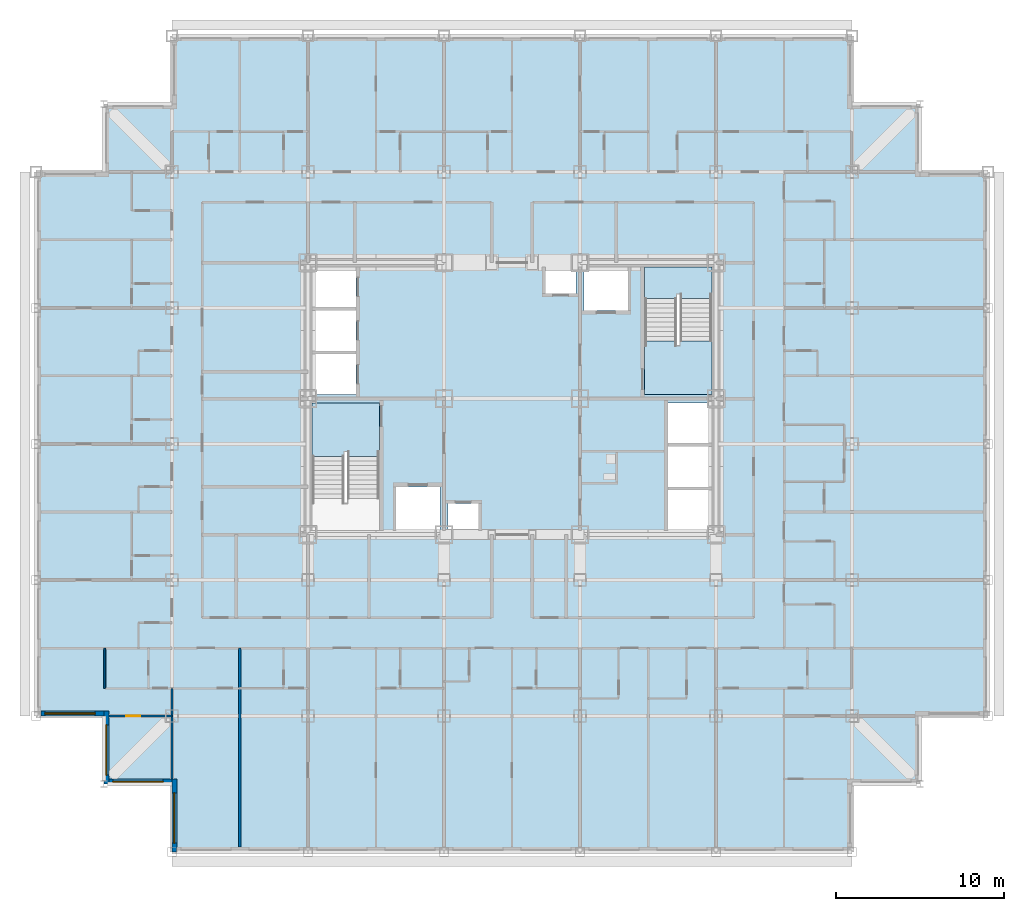
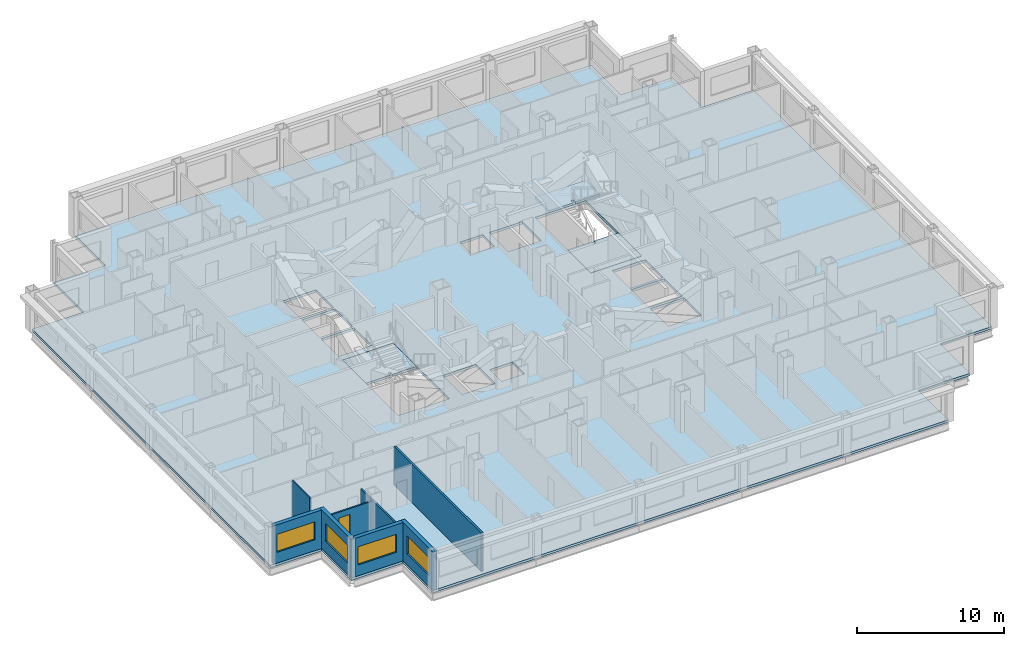
# One storey, part 3 of 14: 8 walls, 4 slabs, 4 windows, 1 door, 5 openings, 2 elements without a shape of their own.
"""IFC4 building model written with IfcOpenShell, lengths in metres."""

from ifc_helpers import new_model, si_unit, direction, frame, frame_2d, origin, place, context, subcontext, project, spatial, polyline, rectangle, outline, extrude, material, layer, layer_set, type_object, element, fill, aggregate, save


model = new_model("IFC4")

# Units and contexts
model_context = context("Model", 3, precision=1e-05, world=origin(), true_north=direction((0.0, 1.0)))
body_context = subcontext(model_context, "Body", "Model", "MODEL_VIEW")
ifc_project = project(units=[si_unit("LENGTHUNIT", "METRE"), si_unit("AREAUNIT", "SQUARE_METRE"), si_unit("VOLUMEUNIT", "CUBIC_METRE"), si_unit("PLANEANGLEUNIT", "RADIAN"), si_unit("MASSUNIT", "GRAM", prefix="KILO")], contexts=[model_context])

# Site, building, storey
site_placement = place(None, origin())
site = spatial("IfcSite", under=ifc_project, at=site_placement, CompositionType="ELEMENT")
building_placement = place(site_placement, origin())
building = spatial("IfcBuilding", under=site, at=building_placement, Name="Kopane Lantern Tower", CompositionType="ELEMENT")
storey_placement = place(building_placement, frame((0.0, 0.0, 137.39990234375)))
storey = spatial("IfcBuildingStorey", under=building, at=storey_placement, Name="L35", CompositionType="ELEMENT", Elevation=137.39990234375)

# Slab
ifc_material_1 = material(Name="Concrete C40/50", Category="concrete")
ifc_layer_1 = layer(ifc_material_1, 0.2099609375)
ifc_layer_set_1 = layer_set([ifc_layer_1], Name="SLAB 210 COMPOSITE")
slab_type_1 = type_object("IfcSlabType", Name="SLAB 210 COMPOSITE", PredefinedType="FLOOR", material=ifc_layer_set_1)
slab_1_placement = place(storey_placement, frame((0.0, 0.0, -0.2099609375)))
element("IfcSlab", 1, at=slab_1_placement, inside=storey, type_object=slab_type_1, Name="Floor slab L35", PredefinedType="FLOOR", context=body_context, shape_type="SweptSolid", body=[
    extrude(outline(polyline([(8.10009765625, 5.39990234375), (48.60009765625, 5.39990234375), (48.60009765625, 9.449951171875), (52.64990234375, 9.449951171875), (52.64990234375, 13.5), (56.699951171875, 13.5), (56.699951171875, 45.89990234375), (52.64990234375, 45.89990234375), (52.64990234375, 49.949951171875), (48.60009765625, 49.949951171875), (48.60009765625, 54.0), (8.10009765625, 54.0), (8.10009765625, 49.949951171875), (4.050048828125, 49.949951171875), (4.050048828125, 45.89990234375), (0.0, 45.89990234375), (0.0, 13.5), (4.050048828125, 13.5), (4.050048828125, 9.449951171875), (8.10009765625, 9.449951171875), (8.10009765625, 5.39990234375)]), holes=[polyline([(16.449951171875, 24.550048828125), (20.449951171875, 24.550048828125), (20.449951171875, 32.14990234375), (16.449951171875, 32.14990234375), (16.449951171875, 24.550048828125)]), polyline([(36.25, 32.64990234375), (40.25, 32.64990234375), (40.25, 40.25), (36.25, 40.25), (36.25, 32.64990234375)]), polyline([(16.449951171875, 32.64990234375), (19.050048828125, 32.64990234375), (19.050048828125, 35.050048828125), (16.449951171875, 35.050048828125), (16.449951171875, 32.64990234375)]), polyline([(16.449951171875, 35.25), (19.050048828125, 35.25), (19.050048828125, 37.64990234375), (16.449951171875, 37.64990234375), (16.449951171875, 35.25)]), polyline([(16.449951171875, 37.85009765625), (19.050048828125, 37.85009765625), (19.050048828125, 40.25), (16.449951171875, 40.25), (16.449951171875, 37.85009765625)]), polyline([(37.64990234375, 24.550048828125), (40.25, 24.550048828125), (40.25, 26.949951171875), (37.64990234375, 26.949951171875), (37.64990234375, 24.550048828125)]), polyline([(37.64990234375, 27.14990234375), (40.25, 27.14990234375), (40.25, 29.550048828125), (37.64990234375, 29.550048828125), (37.64990234375, 27.14990234375)]), polyline([(37.64990234375, 29.75), (40.25, 29.75), (40.25, 32.14990234375), (37.64990234375, 32.14990234375), (37.64990234375, 29.75)]), polyline([(21.449951171875, 24.550048828125), (24.050048828125, 24.550048828125), (24.050048828125, 27.14990234375), (21.449951171875, 27.14990234375), (21.449951171875, 24.550048828125)]), polyline([(32.64990234375, 37.64990234375), (35.25, 37.64990234375), (35.25, 40.25), (32.64990234375, 40.25), (32.64990234375, 37.64990234375)]), polyline([(24.550048828125, 24.550048828125), (26.35009765625, 24.550048828125), (26.35009765625, 26.14990234375), (24.550048828125, 26.14990234375), (24.550048828125, 24.550048828125)]), polyline([(30.35009765625, 38.64990234375), (32.14990234375, 38.64990234375), (32.14990234375, 40.25), (30.35009765625, 40.25), (30.35009765625, 38.64990234375)])]), origin(), (0.0, 0.0, 1.0), 0.2099609375),
])

# Stair, slab
ifc_material_2 = material(Name="Steel S355JR", Category="steel")
stair_type = type_object("IfcStairType", Name="EXIT STAIR 1900 HALF TURN", PredefinedType="HALF_TURN_STAIR", material=ifc_material_2)
stair_1_placement = place(storey_placement, origin())
stair_1 = element("IfcStair", 2, at=stair_1_placement, inside=storey, type_object=stair_type, Name="Exit stair ST1 L35", PredefinedType="HALF_TURN_STAIR")
ifc_material_3 = material(Name="Concrete C40/50", Category="concrete")
ifc_layer_2 = layer(ifc_material_3, 0.199951171875)
ifc_layer_set_2 = layer_set([ifc_layer_2], Name="STAIR LANDING 200")
slab_type_2 = type_object("IfcSlabType", Name="STAIR LANDING 200", PredefinedType="LANDING", material=ifc_layer_set_2)
slab_2_placement = place(storey_placement, frame((0.0, 0.0, -0.199951171875)))
slab_2 = element("IfcSlab", 3, at=slab_2_placement, type_object=slab_type_2, Name="ST1 landing 1", PredefinedType="LANDING", context=body_context, shape_type="SweptSolid", body=[
    extrude(outline(polyline([(18.35009765625, 29.25), (18.550048828125, 29.25), (18.550048828125, 28.969970703125), (20.449951171875, 28.969970703125), (20.449951171875, 32.14990234375), (16.449951171875, 32.14990234375), (16.449951171875, 28.969970703125), (18.35009765625, 28.969970703125), (18.35009765625, 29.25)])), origin(), (0.0, 0.0, 1.0), 0.199951171875),
])
aggregate(stair_1, [slab_2])

# Stair, slabs
stair_2_placement = place(storey_placement, origin())
stair_2 = element("IfcStair", 4, at=stair_2_placement, inside=storey, type_object=stair_type, Name="Exit stair ST2 L35", PredefinedType="HALF_TURN_STAIR")
slab_3_placement = place(storey_placement, frame((0.0, 0.0, -0.199951171875)))
slab_3 = element("IfcSlab", 5, at=slab_3_placement, type_object=slab_type_2, Name="ST2 landing 1", PredefinedType="LANDING", context=body_context, shape_type="SweptSolid", body=[
    extrude(outline(polyline([(40.25, 35.830078125), (38.35009765625, 35.830078125), (38.35009765625, 35.550048828125), (38.14990234375, 35.550048828125), (38.14990234375, 35.830078125), (36.25, 35.830078125), (36.25, 32.64990234375), (40.25, 32.64990234375), (40.25, 35.830078125)])), origin(), (0.0, 0.0, 1.0), 0.199951171875),
])
slab_4_placement = place(storey_placement, frame((0.0, 0.0, 1.5)))
slab_4 = element("IfcSlab", 6, at=slab_4_placement, type_object=slab_type_2, Name="ST2 landing 2", PredefinedType="LANDING", context=body_context, shape_type="SweptSolid", body=[
    extrude(outline(polyline([(38.14990234375, 38.6298828125), (38.35009765625, 38.6298828125), (38.35009765625, 38.35009765625), (40.25, 38.35009765625), (40.25, 40.25), (36.25, 40.25), (36.25, 38.35009765625), (38.14990234375, 38.35009765625), (38.14990234375, 38.6298828125)])), origin(), (0.0, 0.0, 1.0), 0.2001953125),
])
aggregate(stair_2, [slab_3, slab_4])

# Wall
ifc_material_4 = material(Name="Gypsum board on steel studs", Category="steel")
ifc_layer_3 = layer(ifc_material_4, 0.1201171875)
ifc_layer_set_3 = layer_set([ifc_layer_3], Name="APARTMENT INTERNAL WALL 120")
wall_type_1 = type_object("IfcWallType", Name="APARTMENT INTERNAL WALL 120", PredefinedType="PARTITIONING", material=ifc_layer_set_3)
wall_1_placement = place(storey_placement, frame((8.10009765625, 15.14990234375, 0.0), z_axis=(0.0, 0.0, 1.0), x_axis=(0.0, -1.0, 0.0)))
element("IfcWall", 7, at=wall_1_placement, inside=storey, type_object=wall_type_1, Name="Apartment Internal Wall 120 L35", PredefinedType="PARTITIONING", context=body_context, shape_type="SweptSolid", body=[
    extrude(rectangle(XDim=5.39990234375, YDim=0.1201171875, at=frame_2d((2.699951171875, 0.0))), origin(), (0.0, 0.0, 1.0), 2.577880859375),
])

# Wall, opening, door
wall_2_placement = place(storey_placement, frame((8.10009765625, 13.5, 0.0), z_axis=(0.0, 0.0, 1.0), x_axis=(-1.0, 0.0, 0.0)))
wall_2 = element("IfcWall", 8, at=wall_2_placement, inside=storey, type_object=wall_type_1, Name="Apartment Internal Wall 120 L35", PredefinedType="PARTITIONING", context=body_context, shape_type="SweptSolid", body=[
    extrude(rectangle(XDim=3.75, YDim=0.1201171875, at=frame_2d((1.875, 0.0))), origin(), (0.0, 0.0, 1.0), 2.577880859375),
])
opening_1_placement = place(wall_2_placement, frame((1.875, 0.0, 0.0)))
opening_1 = element("IfcOpeningElement", 9, at=opening_1_placement, cuts=wall_2, Name="Opening L35-074", PredefinedType="OPENING", context=body_context, shape_type="SweptSolid", body=[
    extrude(rectangle(XDim=0.85009765625, YDim=2.10009765625, at=frame_2d((0.425048828125, 1.050048828125))), frame((0.0, 0.070068359375, 0.0), z_axis=(0.0, -1.0, 0.0), x_axis=(1.0, 0.0, 0.0)), (0.0, 0.0, 1.0), 0.14013671875),
])
ifc_material_5 = material(Name="Timber door set", Category="wood")
door_type = type_object("IfcDoorType", Name="DOOR D4 850x2100", OperationType="SINGLE_SWING_LEFT", PredefinedType="DOOR", material=ifc_material_5)
door_placement = place(opening_1_placement, origin())
door = element("IfcDoor", 10, at=door_placement, inside=storey, type_object=door_type, Name="Door L35-074", OperationType="SINGLE_SWING_LEFT", OverallHeight=2.10009765625, OverallWidth=0.85009765625, PredefinedType="DOOR", context=body_context, shape_type="SweptSolid", body=[
    extrude(rectangle(XDim=0.85009765625, YDim=2.10009765625, at=frame_2d((0.425048828125, 1.050048828125))), frame((0.0, 0.02490234375, 0.0), z_axis=(0.0, -1.0, 0.0), x_axis=(1.0, 0.0, 0.0)), (0.0, 0.0, 1.0), 0.050048828125),
])
fill(opening_1, door)

# Walls
ifc_material_6 = material(Name="Moisture-resistant board on steel studs", Category="steel")
ifc_layer_4 = layer(ifc_material_6, 0.10009765625)
ifc_layer_set_4 = layer_set([ifc_layer_4], Name="BATHROOM WALL 100")
wall_type_2 = type_object("IfcWallType", Name="BATHROOM WALL 100", PredefinedType="PARTITIONING", material=ifc_layer_set_4)
wall_3_placement = place(storey_placement, frame((4.10009765625, 17.550048828125, 0.0), z_axis=(0.0, 0.0, 1.0), x_axis=(0.0, -1.0, 0.0)))
element("IfcWall", 11, at=wall_3_placement, inside=storey, type_object=wall_type_2, Name="Bathroom Wall 100 L35", PredefinedType="PARTITIONING", context=body_context, shape_type="SweptSolid", body=[
    extrude(rectangle(XDim=2.400146484375, YDim=0.10009765625, at=frame_2d((1.2001953125, 0.0))), origin(), (0.0, 0.0, 1.0), 3.190185546875),
])
ifc_material_7 = material(Name="Gypsum board on steel studs", Category="steel")
ifc_layer_5 = layer(ifc_material_7, 0.14990234375)
ifc_layer_set_5 = layer_set([ifc_layer_5], Name="DEMISING WALL 150 EI 60")
wall_type_3 = type_object("IfcWallType", Name="DEMISING WALL 150 EI 60", PredefinedType="PARTITIONING", material=ifc_layer_set_5)
wall_4_placement = place(storey_placement, frame((12.14990234375, 17.550048828125, 0.0), z_axis=(0.0, 0.0, 1.0), x_axis=(0.0, -1.0, 0.0)))
element("IfcWall", 12, at=wall_4_placement, inside=storey, type_object=wall_type_3, Name="Demising Wall 150 Ei 60 L35", PredefinedType="PARTITIONING", context=body_context, shape_type="SweptSolid", body=[
    extrude(rectangle(XDim=11.85009765625, YDim=0.14990234375, at=frame_2d((5.925048828125, 0.0))), origin(), (0.0, 0.0, 1.0), 3.190185546875),
])

# Wall, opening, window
ifc_material_8 = material(Name="Terracotta rainscreen on light steel framing", Category="masonry")
ifc_layer_6 = layer(ifc_material_8, 0.300048828125)
ifc_layer_set_6 = layer_set([ifc_layer_6], Name="EXTERNAL WALL EW1 300 TERRACOTTA")
wall_type_4 = type_object("IfcWallType", Name="EXTERNAL WALL EW1 300 TERRACOTTA", PredefinedType="SOLIDWALL", material=ifc_layer_set_6)
wall_5_placement = place(storey_placement, frame((0.300048828125, 13.64990234375, 0.0), z_axis=(0.0, 0.0, 1.0), x_axis=(1.0, 0.0, 0.0)))
wall_5 = element("IfcWall", 13, at=wall_5_placement, inside=storey, type_object=wall_type_4, Name="External wall S L35", PredefinedType="SOLIDWALL", context=body_context, shape_type="SweptSolid", body=[
    extrude(rectangle(XDim=3.75, YDim=0.300048828125, at=frame_2d((1.875, 0.0))), origin(), (0.0, 0.0, 1.0), 3.190185546875),
])
opening_2_placement = place(wall_5_placement, frame((0.22509765625, 0.0, 0.89990234375)))
opening_2 = element("IfcOpeningElement", 14, at=opening_2_placement, cuts=wall_5, Name="Opening WR300150", PredefinedType="OPENING", context=body_context, shape_type="SweptSolid", body=[
    extrude(rectangle(XDim=3.0, YDim=1.5, at=frame_2d((1.5, 0.75))), frame((0.0, 0.159912109375, 0.0), z_axis=(0.0, -1.0, 0.0), x_axis=(1.0, 0.0, 0.0)), (0.0, 0.0, 1.0), 0.320068359375),
])
ifc_material_9 = material(Name="Aluminium and clear glass", Category="aluminium")
window_type = type_object("IfcWindowType", Name="RIBBON WINDOW WR300150 3000x1500", PartitioningType="SINGLE_PANEL", PredefinedType="WINDOW", material=ifc_material_9)
window_1_placement = place(opening_2_placement, origin())
window_1 = element("IfcWindow", 15, at=window_1_placement, inside=storey, type_object=window_type, Name="Window S L35", OverallHeight=1.5, OverallWidth=3.0, PartitioningType="SINGLE_PANEL", PredefinedType="WINDOW", context=body_context, shape_type="SweptSolid", body=[
    extrude(rectangle(XDim=3.0, YDim=1.5, at=frame_2d((1.5, 0.75))), frame((0.0, 0.030029296875, 0.0), z_axis=(0.0, -1.0, 0.0), x_axis=(1.0, 0.0, 0.0)), (0.0, 0.0, 1.0), 0.06005859375),
])
fill(opening_2, window_1)

wall_6_placement = place(storey_placement, frame((4.199951171875, 13.800048828125, 0.0), z_axis=(0.0, 0.0, 1.0), x_axis=(0.0, -1.0, 0.0)))
wall_6 = element("IfcWall", 16, at=wall_6_placement, inside=storey, type_object=wall_type_4, Name="External wall W L35", PredefinedType="SOLIDWALL", context=body_context, shape_type="SweptSolid", body=[
    extrude(rectangle(XDim=4.35009765625, YDim=0.300048828125, at=frame_2d((2.175048828125, 0.0))), origin(), (0.0, 0.0, 1.0), 3.190185546875),
])
opening_3_placement = place(wall_6_placement, frame((0.824951171875, 0.0, 0.89990234375)))
opening_3 = element("IfcOpeningElement", 17, at=opening_3_placement, cuts=wall_6, Name="Opening WR300150", PredefinedType="OPENING", context=body_context, shape_type="SweptSolid", body=[
    extrude(rectangle(XDim=3.0, YDim=1.5, at=frame_2d((1.5, 0.75))), frame((0.0, 0.159912109375, 0.0), z_axis=(0.0, -1.0, 0.0), x_axis=(1.0, 0.0, 0.0)), (0.0, 0.0, 1.0), 0.320068359375),
])
window_2_placement = place(opening_3_placement, origin())
window_2 = element("IfcWindow", 18, at=window_2_placement, inside=storey, type_object=window_type, Name="Window W L35", OverallHeight=1.5, OverallWidth=3.0, PartitioningType="SINGLE_PANEL", PredefinedType="WINDOW", context=body_context, shape_type="SweptSolid", body=[
    extrude(rectangle(XDim=3.0, YDim=1.5, at=frame_2d((1.5, 0.75))), frame((0.0, 0.030029296875, 0.0), z_axis=(0.0, -1.0, 0.0), x_axis=(1.0, 0.0, 0.0)), (0.0, 0.0, 1.0), 0.06005859375),
])
fill(opening_3, window_2)

wall_7_placement = place(storey_placement, frame((4.35009765625, 9.60009765625, 0.0), z_axis=(0.0, 0.0, 1.0), x_axis=(1.0, 0.0, 0.0)))
wall_7 = element("IfcWall", 19, at=wall_7_placement, inside=storey, type_object=wall_type_4, Name="External wall S L35", PredefinedType="SOLIDWALL", context=body_context, shape_type="SweptSolid", body=[
    extrude(rectangle(XDim=3.75, YDim=0.300048828125, at=frame_2d((1.875, 0.0))), origin(), (0.0, 0.0, 1.0), 3.190185546875),
])
opening_4_placement = place(wall_7_placement, frame((0.22509765625, 0.0, 0.89990234375)))
opening_4 = element("IfcOpeningElement", 20, at=opening_4_placement, cuts=wall_7, Name="Opening WR300150", PredefinedType="OPENING", context=body_context, shape_type="SweptSolid", body=[
    extrude(rectangle(XDim=3.0, YDim=1.5, at=frame_2d((1.5, 0.75))), frame((0.0, 0.159912109375, 0.0), z_axis=(0.0, -1.0, 0.0), x_axis=(1.0, 0.0, 0.0)), (0.0, 0.0, 1.0), 0.320068359375),
])
window_3_placement = place(opening_4_placement, origin())
window_3 = element("IfcWindow", 21, at=window_3_placement, inside=storey, type_object=window_type, Name="Window S L35", OverallHeight=1.5, OverallWidth=3.0, PartitioningType="SINGLE_PANEL", PredefinedType="WINDOW", context=body_context, shape_type="SweptSolid", body=[
    extrude(rectangle(XDim=3.0, YDim=1.5, at=frame_2d((1.5, 0.75))), frame((0.0, 0.030029296875, 0.0), z_axis=(0.0, -1.0, 0.0), x_axis=(1.0, 0.0, 0.0)), (0.0, 0.0, 1.0), 0.06005859375),
])
fill(opening_4, window_3)

wall_8_placement = place(storey_placement, frame((8.25, 9.75, 0.0), z_axis=(0.0, 0.0, 1.0), x_axis=(0.0, -1.0, 0.0)))
wall_8 = element("IfcWall", 22, at=wall_8_placement, inside=storey, type_object=wall_type_4, Name="External wall W L35", PredefinedType="SOLIDWALL", context=body_context, shape_type="SweptSolid", body=[
    extrude(rectangle(XDim=4.35009765625, YDim=0.300048828125, at=frame_2d((2.175048828125, 0.0))), origin(), (0.0, 0.0, 1.0), 3.190185546875),
])
opening_5_placement = place(wall_8_placement, frame((0.824951171875, 0.0, 0.89990234375)))
opening_5 = element("IfcOpeningElement", 23, at=opening_5_placement, cuts=wall_8, Name="Opening WR300150", PredefinedType="OPENING", context=body_context, shape_type="SweptSolid", body=[
    extrude(rectangle(XDim=3.0, YDim=1.5, at=frame_2d((1.5, 0.75))), frame((0.0, 0.159912109375, 0.0), z_axis=(0.0, -1.0, 0.0), x_axis=(1.0, 0.0, 0.0)), (0.0, 0.0, 1.0), 0.320068359375),
])
window_4_placement = place(opening_5_placement, origin())
window_4 = element("IfcWindow", 24, at=window_4_placement, inside=storey, type_object=window_type, Name="Window W L35", OverallHeight=1.5, OverallWidth=3.0, PartitioningType="SINGLE_PANEL", PredefinedType="WINDOW", context=body_context, shape_type="SweptSolid", body=[
    extrude(rectangle(XDim=3.0, YDim=1.5, at=frame_2d((1.5, 0.75))), frame((0.0, 0.030029296875, 0.0), z_axis=(0.0, -1.0, 0.0), x_axis=(1.0, 0.0, 0.0)), (0.0, 0.0, 1.0), 0.06005859375),
])
fill(opening_5, window_4)

save(model, "model.ifc")
